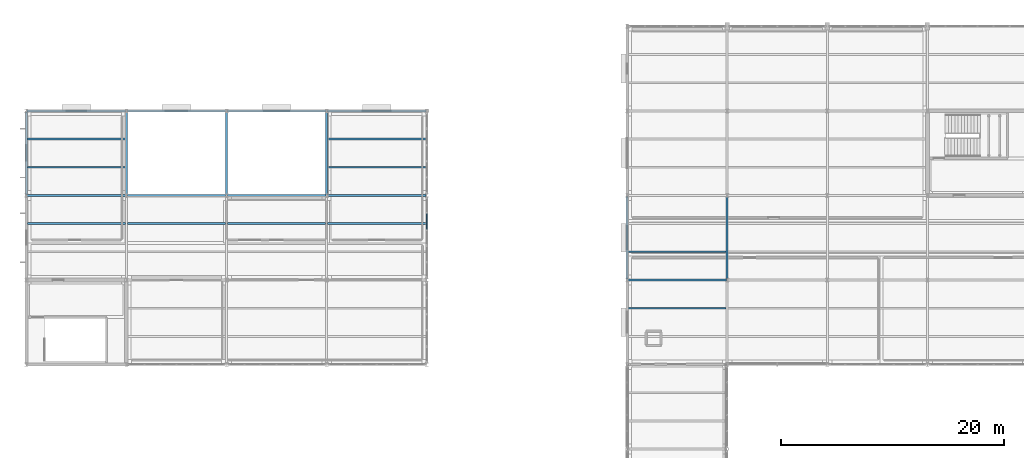
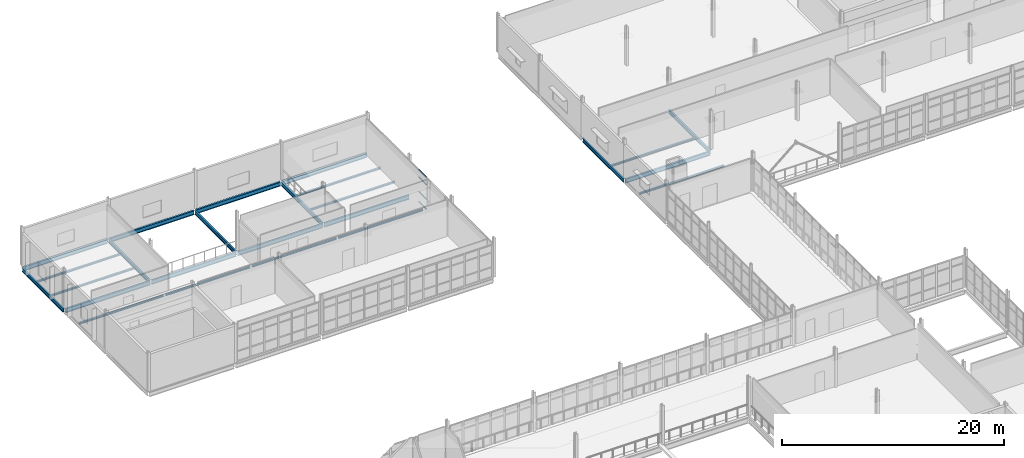
# One storey, part 79 of 174: 25 beams, 4 members, 1 element without a shape of its own.
"""IFC4 building model written with IfcOpenShell, lengths in metres."""

from ifc_helpers import new_model, si_unit, direction, frame, origin, origin_2d, place, context, subcontext, project, spatial, hollow_rectangle, i_section, extrude, material, material_profile, profile_set, type_object, element, aggregate, save


model = new_model("IFC4")

# Units and contexts
model_context = context("Model", 3, precision=1e-05, world=origin(), true_north=direction((0.0, 1.0)))
body_context = subcontext(model_context, "Body", "Model", "MODEL_VIEW")
ifc_project = project(units=[si_unit("LENGTHUNIT", "METRE"), si_unit("AREAUNIT", "SQUARE_METRE"), si_unit("VOLUMEUNIT", "CUBIC_METRE"), si_unit("PLANEANGLEUNIT", "RADIAN"), si_unit("MASSUNIT", "GRAM", prefix="KILO")], contexts=[model_context])

# Site, building, storey
site_placement = place(None, origin())
site = spatial("IfcSite", under=ifc_project, at=site_placement, CompositionType="ELEMENT")
building_placement = place(site_placement, origin())
building = spatial("IfcBuilding", under=site, at=building_placement, Name="Caisbarro Railhouse Central Library", CompositionType="ELEMENT")
storey_placement = place(building_placement, frame((0.0, 0.0, 5.0400390625)))
storey = spatial("IfcBuildingStorey", under=building, at=storey_placement, Name="L01", CompositionType="ELEMENT", Elevation=5.0400390625)

# Beams
ifc_material_1 = material(Name="Steel ASTM A572 Grade 50", Category="steel")
ifc_material_profile_1 = material_profile(ifc_material_1, i_section(OverallWidth=0.18994140625, OverallDepth=0.45703125, WebThickness=0.009033203125, FlangeThickness=0.014404296875, FilletRadius=0.01806640625, at=origin_2d()), Name="W460X74.0")
ifc_profile_set_1 = profile_set([ifc_material_profile_1], Name="Steel ASTM A572 Grade 50")
beam_type_1 = type_object("IfcBeamType", Name="BM-G08", PredefinedType="BEAM", material=ifc_profile_set_1)
for number, where, z_axis, x_axis, name in (
    (1, (0.080078125, 98.800048828125, -0.428466796875), (1.0, 0.0, 0.0), (0.0, 1.0, 0.0), "G08 beam L01 #1016"),
    (2, (9.080078125, 98.800048828125, -0.428466796875), (1.0, 0.0, 0.0), (0.0, 1.0, 0.0), "G08 beam L01 #1017"),
    (3, (18.080078125, 98.800048828125, -0.428466796875), (1.0, 0.0, 0.0), (0.0, 1.0, 0.0), "G08 beam L01 #1018"),
    (4, (27.080078125, 98.800048828125, -0.428466796875), (1.0, 0.0, 0.0), (0.0, 1.0, 0.0), "G08 beam L01 #1019"),
    (5, (54.080078125, 91.199951171875, -0.428466796875), (1.0, 0.0, 0.0), (0.0, 1.0, 0.0), "G08 beam L01 #1164"),
):
    element("IfcBeam", number, at=place(storey_placement, frame(where, z_axis=z_axis, x_axis=x_axis)), inside=storey, type_object=beam_type_1, Name=name, PredefinedType="BEAM", context=body_context, shape_type="SweptSolid", body=[
        extrude(i_section(OverallWidth=0.18994140625, OverallDepth=0.45703125, WebThickness=0.009033203125, FlangeThickness=0.014404296875, FilletRadius=0.01806640625, at=origin_2d()), origin(), (0.0, 0.0, 1.0), 8.83984375),
    ])
ifc_material_profile_2 = material_profile(ifc_material_1, i_section(OverallWidth=0.177978515625, OverallDepth=0.406982421875, WebThickness=0.0078125, FlangeThickness=0.0126953125, FilletRadius=0.01611328125, at=origin_2d()), Name="W410X60.0")
ifc_profile_set_2 = profile_set([ifc_material_profile_2], Name="Steel ASTM A572 Grade 50")
beam_type_2 = type_object("IfcBeamType", Name="BM-G10", PredefinedType="BEAM", material=ifc_profile_set_2)
for number, where, z_axis, x_axis, name in (
    (6, (0.0, 98.8798828125, -0.403564453125), (0.0, 1.0, 0.0), (-1.0, 0.0, 0.0), "G10 beam L01 #1026"),
    (7, (9.0, 98.8798828125, -0.403564453125), (0.0, 1.0, 0.0), (-1.0, 0.0, 0.0), "G10 beam L01 #1029"),
    (8, (18.0, 98.8798828125, -0.403564453125), (0.0, 1.0, 0.0), (-1.0, 0.0, 0.0), "G10 beam L01 #1032"),
    (9, (27.0, 98.8798828125, -0.403564453125), (0.0, 1.0, 0.0), (-1.0, 0.0, 0.0), "G10 beam L01 #1035"),
):
    element("IfcBeam", number, at=place(storey_placement, frame(where, z_axis=z_axis, x_axis=x_axis)), inside=storey, type_object=beam_type_2, Name=name, PredefinedType="BEAM", context=body_context, shape_type="SweptSolid", body=[
        extrude(i_section(OverallWidth=0.177978515625, OverallDepth=0.406982421875, WebThickness=0.0078125, FlangeThickness=0.0126953125, FilletRadius=0.01611328125, at=origin_2d()), origin(), (0.0, 0.0, 1.0), 7.440185546875),
    ])
for number, where, z_axis, x_axis, name in (
    (10, (54.0, 91.280029296875, -0.403564453125), (0.0, 1.0, 0.0), (-1.0, 0.0, 0.0), "G10 beam L01 #1185"),
    (11, (63.0, 91.280029296875, -0.403564453125), (0.0, 1.0, 0.0), (-1.0, 0.0, 0.0), "G10 beam L01 #1189"),
):
    element("IfcBeam", number, at=place(storey_placement, frame(where, z_axis=z_axis, x_axis=x_axis)), inside=storey, type_object=beam_type_2, Name=name, PredefinedType="BEAM", context=body_context, shape_type="SweptSolid", body=[
        extrude(i_section(OverallWidth=0.177978515625, OverallDepth=0.406982421875, WebThickness=0.0078125, FlangeThickness=0.0126953125, FilletRadius=0.01611328125, at=origin_2d()), origin(), (0.0, 0.0, 1.0), 7.43994140625),
    ])
ifc_material_profile_3 = material_profile(ifc_material_1, i_section(OverallWidth=0.1650390625, OverallDepth=0.200927734375, WebThickness=0.006103515625, FlangeThickness=0.01025390625, FilletRadius=0.010009765625, at=origin_2d()), Name="W200X35.9")
ifc_profile_set_3 = profile_set([ifc_material_profile_3], Name="Steel ASTM A572 Grade 50")
beam_type_3 = type_object("IfcBeamType", Name="BM-J06", PredefinedType="JOIST", material=ifc_profile_set_3)
for number, where, z_axis, x_axis, name in (
    (12, (0.089111328125, 96.2666015625, -0.300537109375), (1.0, 0.0, 0.0), (0.0, 1.0, 0.0), "J06 beam L01 #1040"),
    (13, (0.089111328125, 101.333251953125, -0.300537109375), (1.0, 0.0, 0.0), (0.0, 1.0, 0.0), "J06 beam L01 #1041"),
    (14, (0.089111328125, 103.86669921875, -0.300537109375), (1.0, 0.0, 0.0), (0.0, 1.0, 0.0), "J06 beam L01 #1042"),
    (15, (9.089111328125, 96.2666015625, -0.300537109375), (1.0, 0.0, 0.0), (0.0, 1.0, 0.0), "J06 beam L01 #1046"),
    (16, (18.089111328125, 96.2666015625, -0.300537109375), (1.0, 0.0, 0.0), (0.0, 1.0, 0.0), "J06 beam L01 #1050"),
    (17, (27.089111328125, 96.2666015625, -0.300537109375), (1.0, 0.0, 0.0), (0.0, 1.0, 0.0), "J06 beam L01 #1054"),
    (18, (27.089111328125, 101.333251953125, -0.300537109375), (1.0, 0.0, 0.0), (0.0, 1.0, 0.0), "J06 beam L01 #1055"),
    (19, (27.089111328125, 103.86669921875, -0.300537109375), (1.0, 0.0, 0.0), (0.0, 1.0, 0.0), "J06 beam L01 #1056"),
    (20, (54.089111328125, 88.666748046875, -0.300537109375), (1.0, 0.0, 0.0), (0.0, 1.0, 0.0), "J06 beam L01 #1209"),
    (21, (54.089111328125, 93.7333984375, -0.300537109375), (1.0, 0.0, 0.0), (0.0, 1.0, 0.0), "J06 beam L01 #1210"),
):
    element("IfcBeam", number, at=place(storey_placement, frame(where, z_axis=z_axis, x_axis=x_axis)), inside=storey, type_object=beam_type_3, Name=name, PredefinedType="JOIST", context=body_context, shape_type="SweptSolid", body=[
        extrude(i_section(OverallWidth=0.1650390625, OverallDepth=0.200927734375, WebThickness=0.006103515625, FlangeThickness=0.01025390625, FilletRadius=0.010009765625, at=origin_2d()), origin(), (0.0, 0.0, 1.0), 8.82177734375),
    ])
ifc_material_profile_4 = material_profile(ifc_material_1, i_section(OverallWidth=0.18994140625, OverallDepth=0.45703125, WebThickness=0.009033203125, FlangeThickness=0.014404296875, FilletRadius=0.01806640625, at=origin_2d()), Name="W460X74.0")
ifc_profile_set_4 = profile_set([ifc_material_profile_4], Name="Steel ASTM A572 Grade 50")
beam_type_4 = type_object("IfcBeamType", Name="BM-SP01", PredefinedType="SPANDREL", material=ifc_profile_set_4)
for number, where, z_axis, x_axis, name in (
    (22, (0.080078125, 106.39990234375, -0.428466796875), (1.0, 0.0, 0.0), (0.0, 1.0, 0.0), "SP01 beam L01 #1020"),
    (23, (9.080078125, 106.39990234375, -0.428466796875), (1.0, 0.0, 0.0), (0.0, 1.0, 0.0), "SP01 beam L01 #1021"),
    (24, (18.080078125, 106.39990234375, -0.428466796875), (1.0, 0.0, 0.0), (0.0, 1.0, 0.0), "SP01 beam L01 #1022"),
    (25, (27.080078125, 106.39990234375, -0.428466796875), (1.0, 0.0, 0.0), (0.0, 1.0, 0.0), "SP01 beam L01 #1023"),
):
    element("IfcBeam", number, at=place(storey_placement, frame(where, z_axis=z_axis, x_axis=x_axis)), inside=storey, type_object=beam_type_4, Name=name, PredefinedType="SPANDREL", context=body_context, shape_type="SweptSolid", body=[
        extrude(i_section(OverallWidth=0.18994140625, OverallDepth=0.45703125, WebThickness=0.009033203125, FlangeThickness=0.014404296875, FilletRadius=0.01806640625, at=origin_2d()), origin(), (0.0, 0.0, 1.0), 8.83984375),
    ])

# Curtain wall, members
ifc_material_2 = material(Name="Anodised architectural aluminium", Category="aluminium")
curtain_wall_type = type_object("IfcCurtainWallType", Name="CW-CW02", PredefinedType="NOTDEFINED", material=ifc_material_2)
curtain_wall_placement = place(storey_placement, origin())
curtain_wall = element("IfcCurtainWall", 26, at=curtain_wall_placement, inside=storey, type_object=curtain_wall_type, Name="CW02 curtain wall L01 #84", PredefinedType="NOTDEFINED")
ifc_material_profile_5 = material_profile(ifc_material_2, hollow_rectangle(XDim=0.06494140625, YDim=0.1201171875, WallThickness=0.00341796875, at=origin_2d()), Name="ALU-TRN-65X120")
ifc_profile_set_5 = profile_set([ifc_material_profile_5], Name="Anodised architectural aluminium")
member_type = type_object("IfcMemberType", Name="CWT-T02", PredefinedType="USERDEFINED", material=ifc_profile_set_5)
member_1_placement = place(storey_placement, frame((36.0, 95.765380859375, 0.032470703125), z_axis=(0.0, 1.0, 0.0), x_axis=(-1.0, 0.0, 0.0)))
member_1 = element("IfcMember", 27, at=member_1_placement, type_object=member_type, Name="CW02 transom 4.1", ObjectType="TRANSOM", PredefinedType="USERDEFINED", context=body_context, shape_type="SweptSolid", body=[
    extrude(hollow_rectangle(XDim=0.06494140625, YDim=0.1201171875, WallThickness=0.00341796875, at=origin_2d()), origin(), (0.0, 0.0, 1.0), 1.381103515625),
])
member_2_placement = place(storey_placement, frame((36.0, 95.765380859375, 1.119873046875), z_axis=(0.0, 1.0, 0.0), x_axis=(-1.0, 0.0, 0.0)))
member_2 = element("IfcMember", 28, at=member_2_placement, type_object=member_type, Name="CW02 transom 4.2", ObjectType="TRANSOM", PredefinedType="USERDEFINED", context=body_context, shape_type="SweptSolid", body=[
    extrude(hollow_rectangle(XDim=0.06494140625, YDim=0.1201171875, WallThickness=0.00341796875, at=origin_2d()), origin(), (0.0, 0.0, 1.0), 1.381103515625),
])
member_3_placement = place(storey_placement, frame((36.0, 95.765380859375, 2.72998046875), z_axis=(0.0, 1.0, 0.0), x_axis=(-1.0, 0.0, 0.0)))
member_3 = element("IfcMember", 29, at=member_3_placement, type_object=member_type, Name="CW02 transom 4.3", ObjectType="TRANSOM", PredefinedType="USERDEFINED", context=body_context, shape_type="SweptSolid", body=[
    extrude(hollow_rectangle(XDim=0.06494140625, YDim=0.1201171875, WallThickness=0.00341796875, at=origin_2d()), origin(), (0.0, 0.0, 1.0), 1.381103515625),
])
member_4_placement = place(storey_placement, frame((36.0, 95.765380859375, 3.54736328125), z_axis=(0.0, 1.0, 0.0), x_axis=(-1.0, 0.0, 0.0)))
member_4 = element("IfcMember", 30, at=member_4_placement, type_object=member_type, Name="CW02 transom 4.4", ObjectType="TRANSOM", PredefinedType="USERDEFINED", context=body_context, shape_type="SweptSolid", body=[
    extrude(hollow_rectangle(XDim=0.06494140625, YDim=0.1201171875, WallThickness=0.00341796875, at=origin_2d()), origin(), (0.0, 0.0, 1.0), 1.381103515625),
])
aggregate(curtain_wall, [member_1, member_2, member_3, member_4])

save(model, "model.ifc")
